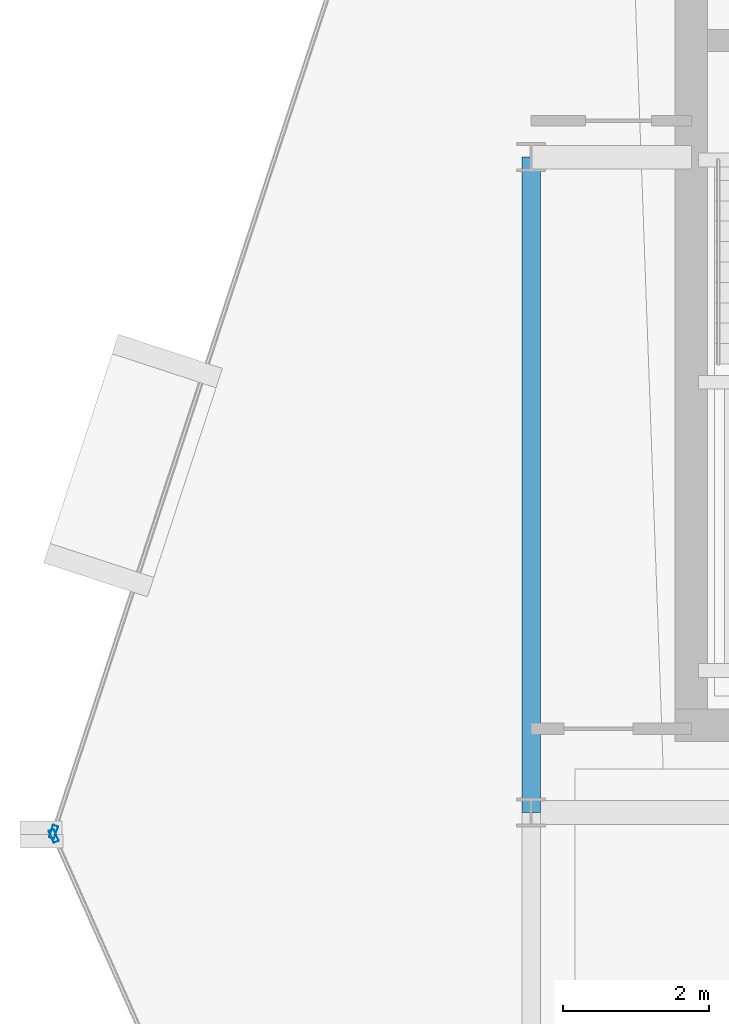
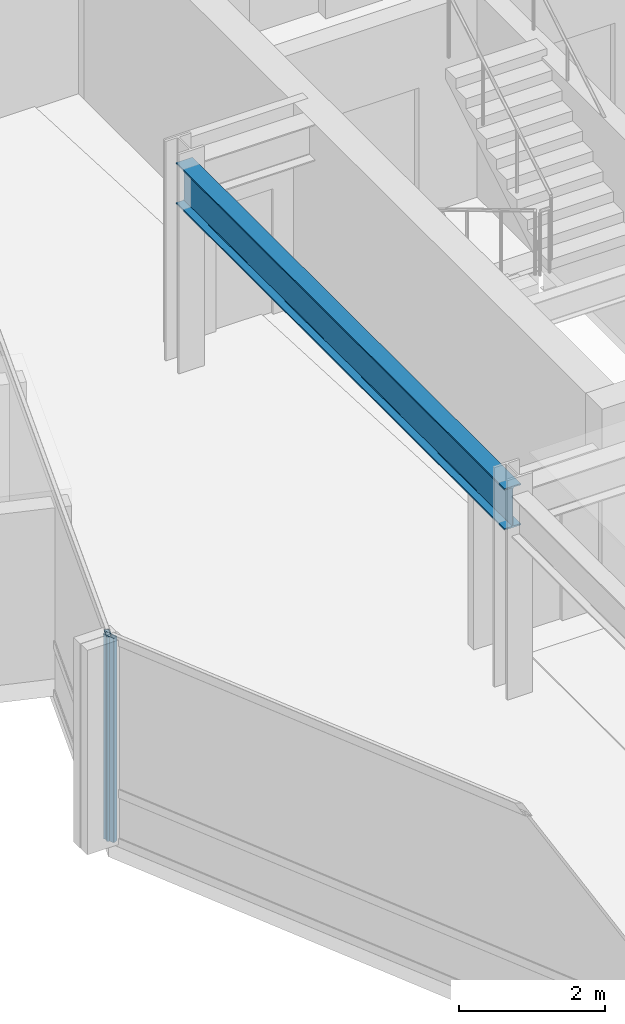
# One storey, part 6 of 27: 2 members, 1 beam, 2 elements without a shape of their own.
"""IFC4 building model written with IfcOpenShell, lengths in metres."""

from ifc_helpers import new_model, si_unit, direction, frame, origin, origin_2d, place, context, subcontext, project, spatial, hollow_rectangle, i_section, extrude, material, layer, layer_set, material_profile, profile_set, type_object, element, aggregate, save


model = new_model("IFC4")

# Units and contexts
model_context = context("Model", 3, precision=1e-05, world=origin(), true_north=direction((0.0, 1.0)))
body_context = subcontext(model_context, "Body", "Model", "MODEL_VIEW")
ifc_project = project(units=[si_unit("LENGTHUNIT", "METRE"), si_unit("AREAUNIT", "SQUARE_METRE"), si_unit("VOLUMEUNIT", "CUBIC_METRE"), si_unit("PLANEANGLEUNIT", "RADIAN"), si_unit("MASSUNIT", "GRAM", prefix="KILO")], contexts=[model_context])

# Site, building, storey
site_placement = place(None, origin())
site = spatial("IfcSite", under=ifc_project, at=site_placement, CompositionType="ELEMENT")
building_placement = place(site_placement, origin())
building = spatial("IfcBuilding", under=site, at=building_placement, Name="Solvaryn Broadcast Tower", CompositionType="ELEMENT")
storey_placement = place(building_placement, frame((0.0, 0.0, 228.39990234375)))
storey = spatial("IfcBuildingStorey", under=building, at=storey_placement, Name="L57", CompositionType="ELEMENT", Elevation=228.39990234375)

# Beam
ifc_material_1 = material(Name="Steel ASTM A992 Grade 50", Category="steel")
ifc_material_profile_1 = material_profile(ifc_material_1, i_section(OverallWidth=0.256103515625, OverallDepth=0.693115234375, WebThickness=0.014404296875, FlangeThickness=0.023681640625, FilletRadius=0.01611328125, at=origin_2d()))
ifc_profile_set_1 = profile_set([ifc_material_profile_1], Name="Steel ASTM A992 Grade 50")
beam_type = type_object("IfcBeamType", Name="BM-SP3-W27X114", PredefinedType="USERDEFINED", material=ifc_profile_set_1)
beam_placement = place(storey_placement, frame((9.0, 27.0, 3.073486328125), z_axis=(0.0, 1.0, 0.0), x_axis=(-1.0, 0.0, 0.0)))
element("IfcBeam", 1, at=beam_placement, inside=storey, type_object=beam_type, Name="L57 Spandrel Beam Y (27-36 @ X=9)", ObjectType="SPANDREL", PredefinedType="USERDEFINED", context=body_context, shape_type="SweptSolid", body=[
    extrude(i_section(OverallWidth=0.256103515625, OverallDepth=0.693115234375, WebThickness=0.014404296875, FlangeThickness=0.023681640625, FilletRadius=0.01611328125, at=origin_2d()), origin(), (0.0, 0.0, 1.0), 9.0),
])

# Curtain wall, member
ifc_material_2 = material(Name="Aluminium and Terracotta Unitised Curtain Wall", Category="masonry")
ifc_layer = layer(ifc_material_2, 0.199951171875)
ifc_layer_set = layer_set([ifc_layer], Name="CW-SYS2-LOWMID")
curtain_wall_type = type_object("IfcCurtainWallType", Name="CW-SYS2-LOWMID", PredefinedType="NOTDEFINED", material=ifc_layer_set)
curtain_wall_1_placement = place(storey_placement, origin())
curtain_wall_1 = element("IfcCurtainWall", 2, at=curtain_wall_1_placement, inside=storey, type_object=curtain_wall_type, Name="L57 Curtain Wall DR1", PredefinedType="NOTDEFINED")
ifc_material_3 = material(Name="Anodised Aluminium 6063-T6", Category="aluminium")
ifc_material_profile_2 = material_profile(ifc_material_3, hollow_rectangle(XDim=0.074951171875, YDim=0.179931640625, WallThickness=0.00390625, InnerFilletRadius=0.00390625, OuterFilletRadius=0.008056640625, at=origin_2d()))
ifc_profile_set_2 = profile_set([ifc_material_profile_2], Name="Anodised Aluminium 6063-T6")
member_type = type_object("IfcMemberType", Name="CW-MUL-180", PredefinedType="MULLION", material=ifc_profile_set_2)
member_1_placement = place(storey_placement, frame((2.4423828125, 26.734619140625, 0.0), z_axis=(0.0, 0.0, 1.0), x_axis=(0.950226902099, -0.311558717623, 0.0)))
member_1 = element("IfcMember", 3, at=member_1_placement, type_object=member_type, Name="CWS2 mullion 2", PredefinedType="MULLION", context=body_context, shape_type="SweptSolid", body=[
    extrude(hollow_rectangle(XDim=0.074951171875, YDim=0.179931640625, WallThickness=0.00390625, InnerFilletRadius=0.00390625, OuterFilletRadius=0.008056640625, at=origin_2d()), origin(), (0.0, 0.0, 1.0), 3.420166015625),
])
aggregate(curtain_wall_1, [member_1])

curtain_wall_2_placement = place(storey_placement, origin())
curtain_wall_2 = element("IfcCurtainWall", 4, at=curtain_wall_2_placement, inside=storey, type_object=curtain_wall_type, Name="L57 Curtain Wall DR2", PredefinedType="NOTDEFINED")
member_2_placement = place(storey_placement, frame((2.445068359375, 26.678466796875, 0.0), z_axis=(0.0, 0.0, 1.0), x_axis=(0.913916902365, 0.405901337237, 0.0)))
member_2 = element("IfcMember", 5, at=member_2_placement, type_object=member_type, Name="CWS2 mullion 1", PredefinedType="MULLION", context=body_context, shape_type="SweptSolid", body=[
    extrude(hollow_rectangle(XDim=0.074951171875, YDim=0.179931640625, WallThickness=0.00390625, InnerFilletRadius=0.00390625, OuterFilletRadius=0.008056640625, at=origin_2d()), origin(), (0.0, 0.0, 1.0), 3.420166015625),
])
aggregate(curtain_wall_2, [member_2])

save(model, "model.ifc")
